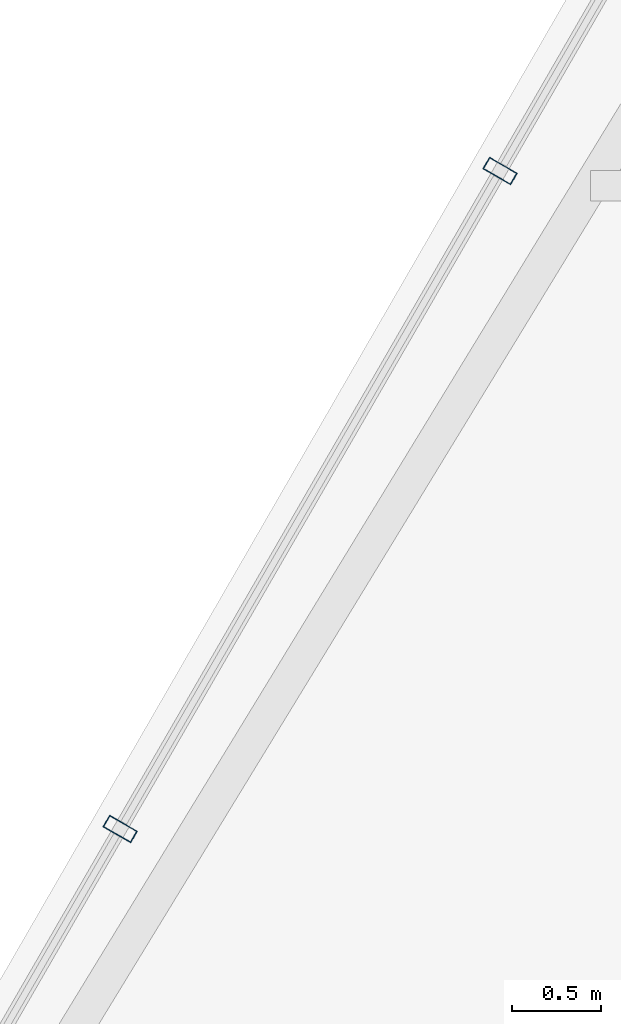
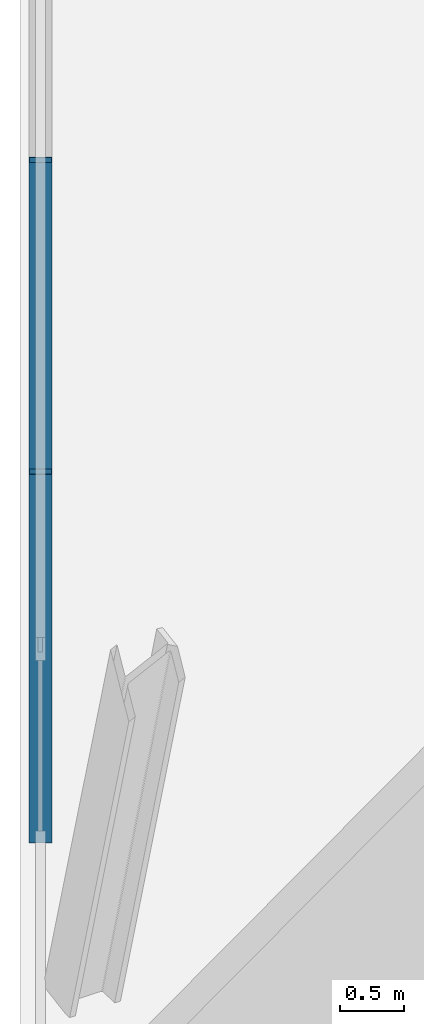
# One storey, part 12 of 34: 2 members, 1 element without a shape of its own.
"""IFC4 building model written with IfcOpenShell, lengths in metres."""

from ifc_helpers import new_model, si_unit, direction, frame, origin, origin_2d, place, context, subcontext, project, spatial, hollow_rectangle, extrude, material, layer, layer_set, material_profile, profile_set, type_object, element, aggregate, save


model = new_model("IFC4")

# Units and contexts
model_context = context("Model", 3, precision=1e-05, world=origin(), true_north=direction((0.0, 1.0)))
body_context = subcontext(model_context, "Body", "Model", "MODEL_VIEW")
ifc_project = project(units=[si_unit("LENGTHUNIT", "METRE"), si_unit("AREAUNIT", "SQUARE_METRE"), si_unit("VOLUMEUNIT", "CUBIC_METRE"), si_unit("PLANEANGLEUNIT", "RADIAN"), si_unit("MASSUNIT", "GRAM", prefix="KILO")], contexts=[model_context])

# Site, building, storey
site_placement = place(None, origin())
site = spatial("IfcSite", under=ifc_project, at=site_placement, CompositionType="ELEMENT")
building_placement = place(site_placement, origin())
building = spatial("IfcBuilding", under=site, at=building_placement, Name="Ndaravel Arena Tower", CompositionType="ELEMENT")
storey_placement = place(building_placement, frame((0.0, 0.0, 199.199951171875)))
storey = spatial("IfcBuildingStorey", under=building, at=storey_placement, Name="L48", CompositionType="ELEMENT", Elevation=199.199951171875)

# Curtain wall, members
ifc_material_1 = material(Name="Aluminium", Category="aluminium")
ifc_layer = layer(ifc_material_1, 0.179931640625)
ifc_layer_set = layer_set([ifc_layer], Name="Aluminium")
curtain_wall_type = type_object("IfcCurtainWallType", Name="CW-SYS-03", PredefinedType="NOTDEFINED", material=ifc_layer_set)
curtain_wall_placement = place(storey_placement, origin())
curtain_wall = element("IfcCurtainWall", 1, at=curtain_wall_placement, inside=storey, type_object=curtain_wall_type, Name="L48 Faceted Crystal Curtain Wall CW-L48-E05", PredefinedType="NOTDEFINED")
ifc_material_2 = material(Name="Aluminium", Category="aluminium")
ifc_material_profile = material_profile(ifc_material_2, hollow_rectangle(XDim=0.074951171875, YDim=0.179931640625, WallThickness=0.00390625, at=origin_2d()), Name="CW MULLION 75x180x4")
ifc_profile_set = profile_set([ifc_material_profile], Name="Aluminium")
member_type = type_object("IfcMemberType", Name="MEM-CW-MUL180", PredefinedType="MULLION", material=ifc_profile_set)
member_1_placement = place(storey_placement, frame((31.100830078125, 35.08203125, 0.0), z_axis=(0.0, 0.0, 1.0), x_axis=(-0.5, -0.866025403784, 0.0)))
member_1 = element("IfcMember", 2, at=member_1_placement, type_object=member_type, Name="CW-L48-E05 Mullion 03", PredefinedType="MULLION", context=body_context, shape_type="SweptSolid", body=[
    extrude(hollow_rectangle(XDim=0.074951171875, YDim=0.179931640625, WallThickness=0.00390625, at=origin_2d()), origin(), (0.0, 0.0, 1.0), 3.52001953125),
])
member_2_placement = place(storey_placement, frame((28.975341796875, 31.400634765625, 0.0), z_axis=(0.0, 0.0, 1.0), x_axis=(-0.5, -0.866025403784, 0.0)))
member_2 = element("IfcMember", 3, at=member_2_placement, type_object=member_type, Name="CW-L48-E05 Mullion 04", PredefinedType="MULLION", context=body_context, shape_type="SweptSolid", body=[
    extrude(hollow_rectangle(XDim=0.074951171875, YDim=0.179931640625, WallThickness=0.00390625, at=origin_2d()), origin(), (0.0, 0.0, 1.0), 3.52001953125),
])
aggregate(curtain_wall, [member_1, member_2])

save(model, "model.ifc")
